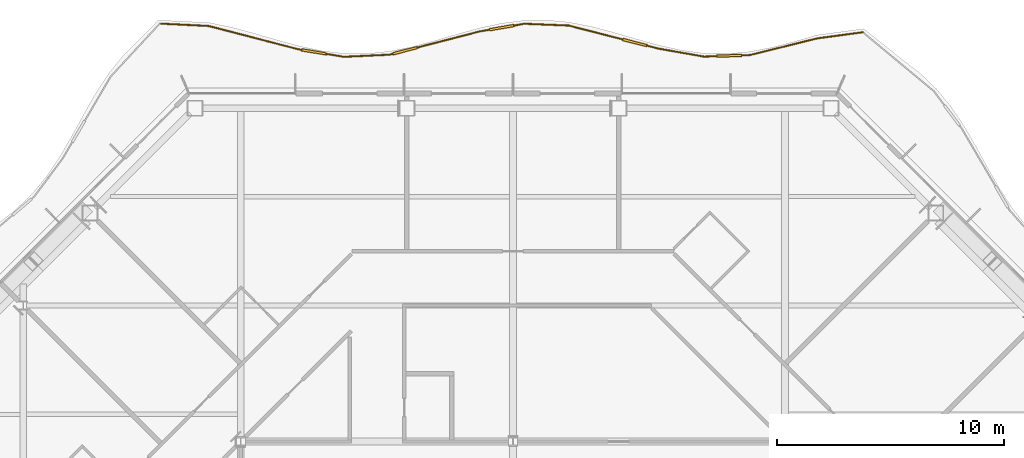
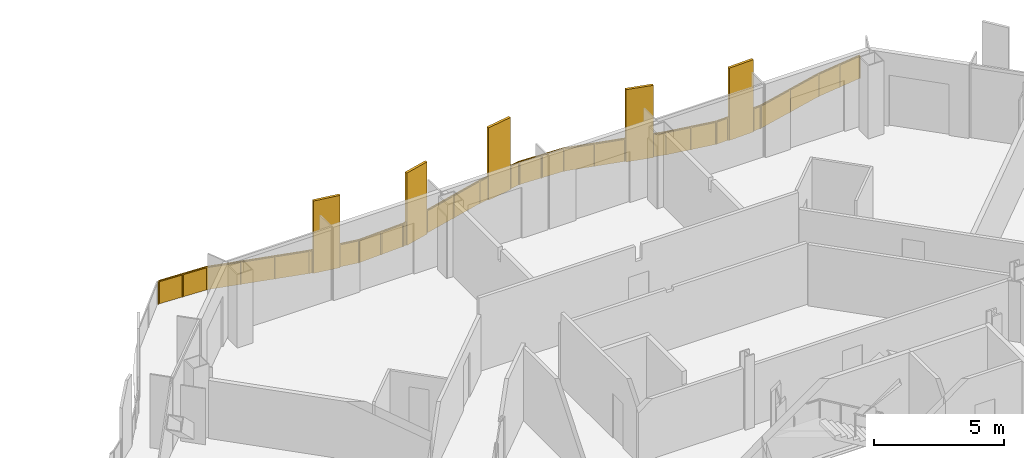
# One storey, part 20 of 21: 1 railing.
"""IFC4 building model written with IfcOpenShell, lengths in metres."""

from ifc_helpers import new_model, si_unit, direction, frame, origin, origin_2d, place, context, subcontext, project, spatial, polyline, rectangle, outline, extrude, material, type_object, element, save


model = new_model("IFC4")

# Units and contexts
model_context = context("Model", 3, precision=1e-05, world=origin(), true_north=direction((0.0, 1.0)))
body_context = subcontext(model_context, "Body", "Model", "MODEL_VIEW")
ifc_project = project(units=[si_unit("LENGTHUNIT", "METRE"), si_unit("AREAUNIT", "SQUARE_METRE"), si_unit("VOLUMEUNIT", "CUBIC_METRE"), si_unit("PLANEANGLEUNIT", "RADIAN"), si_unit("MASSUNIT", "GRAM", prefix="KILO")], contexts=[model_context])

# Site, building, storey
site_placement = place(None, origin())
site = spatial("IfcSite", under=ifc_project, at=site_placement, CompositionType="ELEMENT")
building_placement = place(site_placement, origin())
building = spatial("IfcBuilding", under=site, at=building_placement, Name="Cairn Pilgrim Tower", CompositionType="ELEMENT")
storey_placement = place(building_placement, frame((0.0, 0.0, 129.0)))
storey = spatial("IfcBuildingStorey", under=building, at=storey_placement, Name="L31", CompositionType="ELEMENT", Elevation=129.0)

# Railing
ifc_material = material(Name="Bronze anodised aluminium rail, posts and fin screens with laminated glass infill", Category="aluminium")
railing_type = type_object("IfcRailingType", Name="BALCONY GUARD WITH FIN SCREENS", PredefinedType="GUARDRAIL", material=ifc_material)
railing_placement = place(storey_placement, frame((22.635498046875, 31.25146484375, 0.0)))
element("IfcRailing", 1, at=railing_placement, inside=storey, type_object=railing_type, Name="Balcony guard BGF-5 with fin screens", PredefinedType="GUARDRAIL", context=body_context, shape_type="SweptSolid", body=[
    extrude(rectangle(XDim=0.050048828125, YDim=0.050048828125, at=origin_2d()), frame((0.0, 0.0, 1.0751953125), z_axis=(-0.991172879778, -0.132575723241, 0.0), x_axis=(0.132575723241, -0.991172879778, 0.0)), (0.0, 0.0, 1.0), 2.018310546875),
    extrude(rectangle(XDim=0.050048828125, YDim=0.050048828125, at=origin_2d()), frame((-2.00048828125, -0.267578125, 1.0751953125), z_axis=(-0.970815619228, -0.239827090763, 0.0), x_axis=(0.239827090763, -0.970815619228, 0.0)), (0.0, 0.0, 1.0), 3.076416015625),
    extrude(rectangle(XDim=1.10009765625, YDim=0.110107421875, at=origin_2d()), frame((-5.892578125, -1.036376953125, 0.0), z_axis=(0.0, 0.0, 1.0), x_axis=(-0.999410014153, -0.034345649083, 0.0)), (0.0, 0.0, 1.0), 3.39990234375),
    extrude(rectangle(XDim=0.050048828125, YDim=0.050048828125, at=origin_2d()), frame((-4.987060546875, -1.00537109375, 1.0751953125), z_axis=(-0.999410014153, -0.034345649083, 0.0), x_axis=(0.034345649083, -0.999410014153, 0.0)), (0.0, 0.0, 1.0), 0.35595703125),
    extrude(rectangle(XDim=0.050048828125, YDim=0.050048828125, at=origin_2d()), frame((-6.442138671875, -1.055419921875, 1.0751953125), z_axis=(-0.999410014153, -0.034345649083, 0.0), x_axis=(0.034345649083, -0.999410014153, 0.0)), (0.0, 0.0, 1.0), 0.562744140625),
    extrude(rectangle(XDim=0.050048828125, YDim=0.050048828125, at=origin_2d()), frame((-7.004638671875, -1.07470703125, 1.0751953125), z_axis=(-0.98484379227, 0.173443664705, 0.0), x_axis=(-0.173443664705, -0.98484379227, 0.0)), (0.0, 0.0, 1.0), 2.038330078125),
    extrude(rectangle(XDim=1.10009765625, YDim=0.110107421875, at=origin_2d()), frame((-10.05810546875, -0.45263671875, 0.0), z_axis=(0.0, 0.0, 1.0), x_axis=(-0.96860346181, 0.248610807831, 0.0)), (0.0, 0.0, 1.0), 3.39990234375),
    extrude(rectangle(XDim=0.050048828125, YDim=0.050048828125, at=origin_2d()), frame((-9.011962890625, -0.72119140625, 1.0751953125), z_axis=(-0.96860346181, 0.248610807831, 0.0), x_axis=(-0.248610807831, -0.96860346181, 0.0)), (0.0, 0.0, 1.0), 0.5302734375),
    extrude(rectangle(XDim=0.050048828125, YDim=0.050048828125, at=origin_2d()), frame((-10.5908203125, -0.31591796875, 1.0751953125), z_axis=(-0.96860346181, 0.248610807831, 0.0), x_axis=(-0.248610807831, -0.96860346181, 0.0)), (0.0, 0.0, 1.0), 2.4609375),
    extrude(rectangle(XDim=0.050048828125, YDim=0.050048828125, at=origin_2d()), frame((-12.974609375, 0.2958984375, 1.0751953125), z_axis=(-0.99918210832, 0.040436547976, 0.0), x_axis=(-0.040436547976, -0.99918210832, 0.0)), (0.0, 0.0, 1.0), 1.956298828125),
    extrude(rectangle(XDim=1.10009765625, YDim=0.110107421875, at=origin_2d()), frame((-15.932373046875, 0.203369140625, 0.0), z_axis=(0.0, 0.0, 1.0), x_axis=(-0.985672915835, -0.168668025985, 0.0)), (0.0, 0.0, 1.0), 3.39990234375),
    extrude(rectangle(XDim=0.050048828125, YDim=0.050048828125, at=origin_2d()), frame((-14.92919921875, 0.375, 1.0751953125), z_axis=(-0.985672915835, -0.168668025985, 0.0), x_axis=(0.168668025985, -0.985672915835, 0.0)), (0.0, 0.0, 1.0), 0.4677734375),
    extrude(rectangle(XDim=0.050048828125, YDim=0.050048828125, at=origin_2d()), frame((-16.474609375, 0.110595703125, 1.0751953125), z_axis=(-0.985672915835, -0.168668025985, 0.0), x_axis=(0.168668025985, -0.985672915835, 0.0)), (0.0, 0.0, 1.0), 0.42529296875),
    extrude(rectangle(XDim=1.10009765625, YDim=0.110107421875, at=origin_2d()), frame((-20.197265625, -0.813720703125, 0.0), z_axis=(0.0, 0.0, 1.0), x_axis=(-0.968266663868, -0.249919322268, 0.0)), (0.0, 0.0, 1.0), 3.39990234375),
    extrude(rectangle(XDim=0.050048828125, YDim=0.050048828125, at=origin_2d()), frame((-16.893798828125, 0.038818359375, 1.0751953125), z_axis=(-0.968266663868, -0.249919322268, 0.0), x_axis=(0.249919322268, -0.968266663868, 0.0)), (0.0, 0.0, 1.0), 2.86181640625),
    extrude(rectangle(XDim=0.050048828125, YDim=0.050048828125, at=origin_2d()), frame((-20.729736328125, -0.951171875, 1.0751953125), z_axis=(-0.968266663868, -0.249919322268, 0.0), x_axis=(0.249919322268, -0.968266663868, 0.0)), (0.0, 0.0, 1.0), 0.14990234375),
    extrude(rectangle(XDim=0.050048828125, YDim=0.050048828125, at=origin_2d()), frame((-20.875, -0.98876953125, 1.0751953125), z_axis=(-0.998916560656, -0.046537134058, 0.0), x_axis=(0.046537134058, -0.998916560656, 0.0)), (0.0, 0.0, 1.0), 2.019775390625),
    extrude(rectangle(XDim=1.10009765625, YDim=0.110107421875, at=origin_2d()), frame((-24.210693359375, -0.864013671875, 0.0), z_axis=(0.0, 0.0, 1.0), x_axis=(-0.986494204238, 0.163796169076, 0.0)), (0.0, 0.0, 1.0), 3.39990234375),
    extrude(rectangle(XDim=0.050048828125, YDim=0.050048828125, at=origin_2d()), frame((-22.892578125, -1.082763671875, 1.0751953125), z_axis=(-0.986494204238, 0.163796169076, 0.0), x_axis=(-0.163796169076, -0.986494204238, 0.0)), (0.0, 0.0, 1.0), 0.7861328125),
    extrude(rectangle(XDim=0.050048828125, YDim=0.050048828125, at=origin_2d()), frame((-24.753173828125, -0.77392578125, 1.0751953125), z_axis=(-0.986494204238, 0.163796169076, 0.0), x_axis=(-0.163796169076, -0.986494204238, 0.0)), (0.0, 0.0, 1.0), 0.14990234375),
    extrude(rectangle(XDim=0.050048828125, YDim=0.050048828125, at=origin_2d()), frame((-24.901123046875, -0.749267578125, 1.0751953125), z_axis=(-0.967972754923, 0.251055264288, 0.0), x_axis=(-0.251055264288, -0.967972754923, 0.0)), (0.0, 0.0, 1.0), 4.094970703125),
    extrude(rectangle(XDim=0.050048828125, YDim=0.050048828125, at=origin_2d()), frame((-28.864990234375, 0.27880859375, 1.0751953125), z_axis=(-0.998833216271, 0.048292919494, 0.0), x_axis=(-0.048292919494, -0.998833216271, 0.0)), (0.0, 0.0, 1.0), 2.087890625),
    extrude(rectangle(XDim=0.050048828125, YDim=0.050048828125, at=origin_2d()), origin(), (0.0, 0.0, 1.0), 1.050048828125),
    extrude(rectangle(XDim=0.050048828125, YDim=0.050048828125, at=origin_2d()), frame((-1.000244140625, -0.1337890625, 0.0)), (0.0, 0.0, 1.0), 1.050048828125),
    extrude(rectangle(XDim=0.050048828125, YDim=0.050048828125, at=origin_2d()), frame((-2.00048828125, -0.267578125, 0.0)), (0.0, 0.0, 1.0), 1.050048828125),
    extrude(rectangle(XDim=0.050048828125, YDim=0.050048828125, at=origin_2d()), frame((-3.49365234375, -0.636474609375, 0.0)), (0.0, 0.0, 1.0), 1.050048828125),
    extrude(rectangle(XDim=0.050048828125, YDim=0.050048828125, at=origin_2d()), frame((-4.987060546875, -1.00537109375, 0.0)), (0.0, 0.0, 1.0), 1.050048828125),
    extrude(rectangle(XDim=0.050048828125, YDim=0.050048828125, at=origin_2d()), frame((-5.31787109375, -1.016845703125, 0.0)), (0.0, 0.0, 1.0), 1.050048828125),
    extrude(rectangle(XDim=0.050048828125, YDim=0.050048828125, at=origin_2d()), frame((-6.46728515625, -1.05615234375, 0.0)), (0.0, 0.0, 1.0), 1.050048828125),
    extrude(rectangle(XDim=0.050048828125, YDim=0.050048828125, at=origin_2d()), frame((-7.004638671875, -1.07470703125, 0.0)), (0.0, 0.0, 1.0), 1.050048828125),
    extrude(rectangle(XDim=0.050048828125, YDim=0.050048828125, at=origin_2d()), frame((-8.00830078125, -0.89794921875, 0.0)), (0.0, 0.0, 1.0), 1.050048828125),
    extrude(rectangle(XDim=0.050048828125, YDim=0.050048828125, at=origin_2d()), frame((-9.011962890625, -0.72119140625, 0.0)), (0.0, 0.0, 1.0), 1.050048828125),
    extrude(rectangle(XDim=0.050048828125, YDim=0.050048828125, at=origin_2d()), frame((-9.501220703125, -0.595703125, 0.0)), (0.0, 0.0, 1.0), 1.050048828125),
    extrude(rectangle(XDim=0.050048828125, YDim=0.050048828125, at=origin_2d()), frame((-10.615234375, -0.309814453125, 0.0)), (0.0, 0.0, 1.0), 1.050048828125),
    extrude(rectangle(XDim=0.050048828125, YDim=0.050048828125, at=origin_2d()), frame((-11.794921875, -0.0068359375, 0.0)), (0.0, 0.0, 1.0), 1.050048828125),
    extrude(rectangle(XDim=0.050048828125, YDim=0.050048828125, at=origin_2d()), frame((-12.974609375, 0.2958984375, 0.0)), (0.0, 0.0, 1.0), 1.050048828125),
    extrude(rectangle(XDim=0.050048828125, YDim=0.050048828125, at=origin_2d()), frame((-13.951904296875, 0.33544921875, 0.0)), (0.0, 0.0, 1.0), 1.050048828125),
    extrude(rectangle(XDim=0.050048828125, YDim=0.050048828125, at=origin_2d()), frame((-14.92919921875, 0.375, 0.0)), (0.0, 0.0, 1.0), 1.050048828125),
    extrude(rectangle(XDim=0.050048828125, YDim=0.050048828125, at=origin_2d()), frame((-15.36572265625, 0.30029296875, 0.0)), (0.0, 0.0, 1.0), 1.050048828125),
    extrude(rectangle(XDim=0.050048828125, YDim=0.050048828125, at=origin_2d()), frame((-16.499267578125, 0.1064453125, 0.0)), (0.0, 0.0, 1.0), 1.050048828125),
    extrude(rectangle(XDim=0.050048828125, YDim=0.050048828125, at=origin_2d()), frame((-16.893798828125, 0.038818359375, 0.0)), (0.0, 0.0, 1.0), 1.050048828125),
    extrude(rectangle(XDim=0.050048828125, YDim=0.050048828125, at=origin_2d()), frame((-18.26708984375, -0.315673828125, 0.0)), (0.0, 0.0, 1.0), 1.050048828125),
    extrude(rectangle(XDim=0.050048828125, YDim=0.050048828125, at=origin_2d()), frame((-19.640380859375, -0.670166015625, 0.0)), (0.0, 0.0, 1.0), 1.050048828125),
    extrude(rectangle(XDim=0.050048828125, YDim=0.050048828125, at=origin_2d()), frame((-20.754150390625, -0.95751953125, 0.0)), (0.0, 0.0, 1.0), 1.050048828125),
    extrude(rectangle(XDim=0.050048828125, YDim=0.050048828125, at=origin_2d()), frame((-20.875, -0.98876953125, 0.0)), (0.0, 0.0, 1.0), 1.050048828125),
    extrude(rectangle(XDim=0.050048828125, YDim=0.050048828125, at=origin_2d()), frame((-21.8837890625, -1.03564453125, 0.0)), (0.0, 0.0, 1.0), 1.050048828125),
    extrude(rectangle(XDim=0.050048828125, YDim=0.050048828125, at=origin_2d()), frame((-22.892578125, -1.082763671875, 0.0)), (0.0, 0.0, 1.0), 1.050048828125),
    extrude(rectangle(XDim=0.050048828125, YDim=0.050048828125, at=origin_2d()), frame((-23.643310546875, -0.9580078125, 0.0)), (0.0, 0.0, 1.0), 1.050048828125),
    extrude(rectangle(XDim=0.050048828125, YDim=0.050048828125, at=origin_2d()), frame((-24.77783203125, -0.769775390625, 0.0)), (0.0, 0.0, 1.0), 1.050048828125),
    extrude(rectangle(XDim=0.050048828125, YDim=0.050048828125, at=origin_2d()), frame((-24.901123046875, -0.749267578125, 0.0)), (0.0, 0.0, 1.0), 1.050048828125),
    extrude(rectangle(XDim=0.050048828125, YDim=0.050048828125, at=origin_2d()), frame((-26.222412109375, -0.406494140625, 0.0)), (0.0, 0.0, 1.0), 1.050048828125),
    extrude(rectangle(XDim=0.050048828125, YDim=0.050048828125, at=origin_2d()), frame((-27.543701171875, -0.06396484375, 0.0)), (0.0, 0.0, 1.0), 1.050048828125),
    extrude(rectangle(XDim=0.050048828125, YDim=0.050048828125, at=origin_2d()), frame((-28.864990234375, 0.27880859375, 0.0)), (0.0, 0.0, 1.0), 1.050048828125),
    extrude(rectangle(XDim=0.050048828125, YDim=0.050048828125, at=origin_2d()), frame((-29.90771484375, 0.3291015625, 0.0)), (0.0, 0.0, 1.0), 1.050048828125),
    extrude(rectangle(XDim=0.050048828125, YDim=0.050048828125, at=origin_2d()), frame((-30.950439453125, 0.379638671875, 0.0)), (0.0, 0.0, 1.0), 1.050048828125),
    extrude(outline(polyline([(0.02490234375, 0.0), (0.984130859375, 0.0), (0.984130859375, 1.050048828125), (0.02490234375, 1.050048828125), (0.02490234375, 0.0)])), frame((0.000732421875, -0.005859375, 0.0), z_axis=(-0.132575723241, 0.991172879778, 0.0), x_axis=(-0.991172879778, -0.132575723241, 0.0)), (0.0, 0.0, 1.0), 0.011962890625),
    extrude(outline(polyline([(0.02490234375, 0.0), (0.984130859375, 0.0), (0.984130859375, 1.050048828125), (0.02490234375, 1.050048828125), (0.02490234375, 0.0)])), frame((-0.99951171875, -0.1396484375, 0.0), z_axis=(-0.132575723241, 0.991172879778, 0.0), x_axis=(-0.991172879778, -0.132575723241, 0.0)), (0.0, 0.0, 1.0), 0.011962890625),
    extrude(outline(polyline([(0.02490234375, 0.0), (1.51318359375, 0.0), (1.51318359375, 1.050048828125), (0.02490234375, 1.050048828125), (0.02490234375, 0.0)])), frame((-1.9990234375, -0.2734375, 0.0), z_axis=(-0.239827090763, 0.970815619228, 0.0), x_axis=(-0.970815619228, -0.239827090763, 0.0)), (0.0, 0.0, 1.0), 0.011962890625),
    extrude(outline(polyline([(0.02490234375, 0.0), (1.51318359375, 0.0), (1.51318359375, 1.050048828125), (0.02490234375, 1.050048828125), (0.02490234375, 0.0)])), frame((-3.492431640625, -0.642333984375, 0.0), z_axis=(-0.239827090763, 0.970815619228, 0.0), x_axis=(-0.970815619228, -0.239827090763, 0.0)), (0.0, 0.0, 1.0), 0.011962890625),
    extrude(outline(polyline([(0.02490234375, 0.0), (0.305908203125, 0.0), (0.305908203125, 1.050048828125), (0.02490234375, 1.050048828125), (0.02490234375, 0.0)])), frame((-4.98681640625, -1.01123046875, 0.0), z_axis=(-0.034345649083, 0.999410014153, 0.0), x_axis=(-0.999410014153, -0.034345649083, 0.0)), (0.0, 0.0, 1.0), 0.011962890625),
    extrude(outline(polyline([(0.02490234375, 0.0), (0.5126953125, 0.0), (0.5126953125, 1.050048828125), (0.02490234375, 1.050048828125), (0.02490234375, 0.0)])), frame((-6.467041015625, -1.062255859375, 0.0), z_axis=(-0.034345649083, 0.999410014153, 0.0), x_axis=(-0.999410014153, -0.034345649083, 0.0)), (0.0, 0.0, 1.0), 0.011962890625),
    extrude(outline(polyline([(0.02490234375, 0.0), (0.994140625, 0.0), (0.994140625, 1.050048828125), (0.02490234375, 1.050048828125), (0.02490234375, 0.0)])), frame((-7.005615234375, -1.08056640625, 0.0), z_axis=(0.173443664705, 0.98484379227, 0.0), x_axis=(-0.98484379227, 0.173443664705, 0.0)), (0.0, 0.0, 1.0), 0.011962890625),
    extrude(outline(polyline([(0.02490234375, 0.0), (0.994140625, 0.0), (0.994140625, 1.050048828125), (0.02490234375, 1.050048828125), (0.02490234375, 0.0)])), frame((-8.00927734375, -0.90380859375, 0.0), z_axis=(0.173443664705, 0.98484379227, 0.0), x_axis=(-0.98484379227, 0.173443664705, 0.0)), (0.0, 0.0, 1.0), 0.011962890625),
    extrude(outline(polyline([(0.02490234375, 0.0), (0.480224609375, 0.0), (0.480224609375, 1.050048828125), (0.02490234375, 1.050048828125), (0.02490234375, 0.0)])), frame((-9.013427734375, -0.72705078125, 0.0), z_axis=(0.248610807831, 0.96860346181, 0.0), x_axis=(-0.96860346181, 0.248610807831, 0.0)), (0.0, 0.0, 1.0), 0.011962890625),
    extrude(outline(polyline([(0.02490234375, 0.0), (1.19287109375, 0.0), (1.19287109375, 1.050048828125), (0.02490234375, 1.050048828125), (0.02490234375, 0.0)])), frame((-10.61669921875, -0.3154296875, 0.0), z_axis=(0.248610807831, 0.96860346181, 0.0), x_axis=(-0.96860346181, 0.248610807831, 0.0)), (0.0, 0.0, 1.0), 0.011962890625),
    extrude(outline(polyline([(0.02490234375, 0.0), (1.19287109375, 0.0), (1.19287109375, 1.050048828125), (0.02490234375, 1.050048828125), (0.02490234375, 0.0)])), frame((-11.79638671875, -0.0126953125, 0.0), z_axis=(0.248610807831, 0.96860346181, 0.0), x_axis=(-0.96860346181, 0.248610807831, 0.0)), (0.0, 0.0, 1.0), 0.011962890625),
    extrude(outline(polyline([(0.02490234375, 0.0), (0.953125, 0.0), (0.953125, 1.050048828125), (0.02490234375, 1.050048828125), (0.02490234375, 0.0)])), frame((-12.974853515625, 0.2900390625, 0.0), z_axis=(0.040436547976, 0.99918210832, 0.0), x_axis=(-0.99918210832, 0.040436547976, 0.0)), (0.0, 0.0, 1.0), 0.011962890625),
    extrude(outline(polyline([(0.02490234375, 0.0), (0.953125, 0.0), (0.953125, 1.050048828125), (0.02490234375, 1.050048828125), (0.02490234375, 0.0)])), frame((-13.9521484375, 0.32958984375, 0.0), z_axis=(0.040436547976, 0.99918210832, 0.0), x_axis=(-0.99918210832, 0.040436547976, 0.0)), (0.0, 0.0, 1.0), 0.011962890625),
    extrude(outline(polyline([(0.02490234375, 0.0), (0.417724609375, 0.0), (0.417724609375, 1.050048828125), (0.02490234375, 1.050048828125), (0.02490234375, 0.0)])), frame((-14.92822265625, 0.369140625, 0.0), z_axis=(-0.168668025985, 0.985672915835, 0.0), x_axis=(-0.985672915835, -0.168668025985, 0.0)), (0.0, 0.0, 1.0), 0.011962890625),
    extrude(outline(polyline([(0.02490234375, 0.0), (0.375244140625, 0.0), (0.375244140625, 1.050048828125), (0.02490234375, 1.050048828125), (0.02490234375, 0.0)])), frame((-16.498291015625, 0.100341796875, 0.0), z_axis=(-0.168668025985, 0.985672915835, 0.0), x_axis=(-0.985672915835, -0.168668025985, 0.0)), (0.0, 0.0, 1.0), 0.011962890625),
    extrude(outline(polyline([(0.02490234375, 0.0), (1.393310546875, 0.0), (1.393310546875, 1.050048828125), (0.02490234375, 1.050048828125), (0.02490234375, 0.0)])), frame((-16.892333984375, 0.032958984375, 0.0), z_axis=(-0.249919322268, 0.968266663868, 0.0), x_axis=(-0.968266663868, -0.249919322268, 0.0)), (0.0, 0.0, 1.0), 0.011962890625),
    extrude(outline(polyline([(0.02490234375, 0.0), (1.393310546875, 0.0), (1.393310546875, 1.050048828125), (0.02490234375, 1.050048828125), (0.02490234375, 0.0)])), frame((-18.265625, -0.321533203125, 0.0), z_axis=(-0.249919322268, 0.968266663868, 0.0), x_axis=(-0.968266663868, -0.249919322268, 0.0)), (0.0, 0.0, 1.0), 0.011962890625),
    extrude(outline(polyline([(0.02490234375, 0.0), (0.099853515625, 0.0), (0.099853515625, 1.050048828125), (0.02490234375, 1.050048828125), (0.02490234375, 0.0)])), frame((-20.75244140625, -0.96337890625, 0.0), z_axis=(-0.249919322268, 0.968266663868, 0.0), x_axis=(-0.968266663868, -0.249919322268, 0.0)), (0.0, 0.0, 1.0), 0.011962890625),
    extrude(outline(polyline([(0.02490234375, 0.0), (0.98486328125, 0.0), (0.98486328125, 1.050048828125), (0.02490234375, 1.050048828125), (0.02490234375, 0.0)])), frame((-20.874755859375, -0.99462890625, 0.0), z_axis=(-0.046537134058, 0.998916560656, 0.0), x_axis=(-0.998916560656, -0.046537134058, 0.0)), (0.0, 0.0, 1.0), 0.011962890625),
    extrude(outline(polyline([(0.02490234375, 0.0), (0.98486328125, 0.0), (0.98486328125, 1.050048828125), (0.02490234375, 1.050048828125), (0.02490234375, 0.0)])), frame((-21.883544921875, -1.041748046875, 0.0), z_axis=(-0.046537134058, 0.998916560656, 0.0), x_axis=(-0.998916560656, -0.046537134058, 0.0)), (0.0, 0.0, 1.0), 0.011962890625),
    extrude(outline(polyline([(0.02490234375, 0.0), (0.736083984375, 0.0), (0.736083984375, 1.050048828125), (0.02490234375, 1.050048828125), (0.02490234375, 0.0)])), frame((-22.8935546875, -1.088623046875, 0.0), z_axis=(0.163796169076, 0.986494204238, 0.0), x_axis=(-0.986494204238, 0.163796169076, 0.0)), (0.0, 0.0, 1.0), 0.011962890625),
    extrude(outline(polyline([(0.02490234375, 0.0), (0.099853515625, 0.0), (0.099853515625, 1.050048828125), (0.02490234375, 1.050048828125), (0.02490234375, 0.0)])), frame((-24.77880859375, -0.775634765625, 0.0), z_axis=(0.163796169076, 0.986494204238, 0.0), x_axis=(-0.986494204238, 0.163796169076, 0.0)), (0.0, 0.0, 1.0), 0.011962890625),
    extrude(outline(polyline([(0.02490234375, 0.0), (1.340087890625, 0.0), (1.340087890625, 1.050048828125), (0.02490234375, 1.050048828125), (0.02490234375, 0.0)])), frame((-24.902587890625, -0.755126953125, 0.0), z_axis=(0.251055264288, 0.967972754923, 0.0), x_axis=(-0.967972754923, 0.251055264288, 0.0)), (0.0, 0.0, 1.0), 0.011962890625),
    extrude(outline(polyline([(0.02490234375, 0.0), (1.340087890625, 0.0), (1.340087890625, 1.050048828125), (0.02490234375, 1.050048828125), (0.02490234375, 0.0)])), frame((-26.223876953125, -0.412353515625, 0.0), z_axis=(0.251055264288, 0.967972754923, 0.0), x_axis=(-0.967972754923, 0.251055264288, 0.0)), (0.0, 0.0, 1.0), 0.011962890625),
    extrude(outline(polyline([(0.02490234375, 0.0), (1.340087890625, 0.0), (1.340087890625, 1.050048828125), (0.02490234375, 1.050048828125), (0.02490234375, 0.0)])), frame((-27.545166015625, -0.069580078125, 0.0), z_axis=(0.251055264288, 0.967972754923, 0.0), x_axis=(-0.967972754923, 0.251055264288, 0.0)), (0.0, 0.0, 1.0), 0.011962890625),
    extrude(outline(polyline([(0.02490234375, 0.0), (1.018798828125, 0.0), (1.018798828125, 1.050048828125), (0.02490234375, 1.050048828125), (0.02490234375, 0.0)])), frame((-28.865234375, 0.27294921875, 0.0), z_axis=(0.048292919494, 0.998833216271, 0.0), x_axis=(-0.998833216271, 0.048292919494, 0.0)), (0.0, 0.0, 1.0), 0.011962890625),
    extrude(outline(polyline([(0.02490234375, 0.0), (1.018798828125, 0.0), (1.018798828125, 1.050048828125), (0.02490234375, 1.050048828125), (0.02490234375, 0.0)])), frame((-29.907958984375, 0.3232421875, 0.0), z_axis=(0.048292919494, 0.998833216271, 0.0), x_axis=(-0.998833216271, 0.048292919494, 0.0)), (0.0, 0.0, 1.0), 0.011962890625),
])

save(model, "model.ifc")
